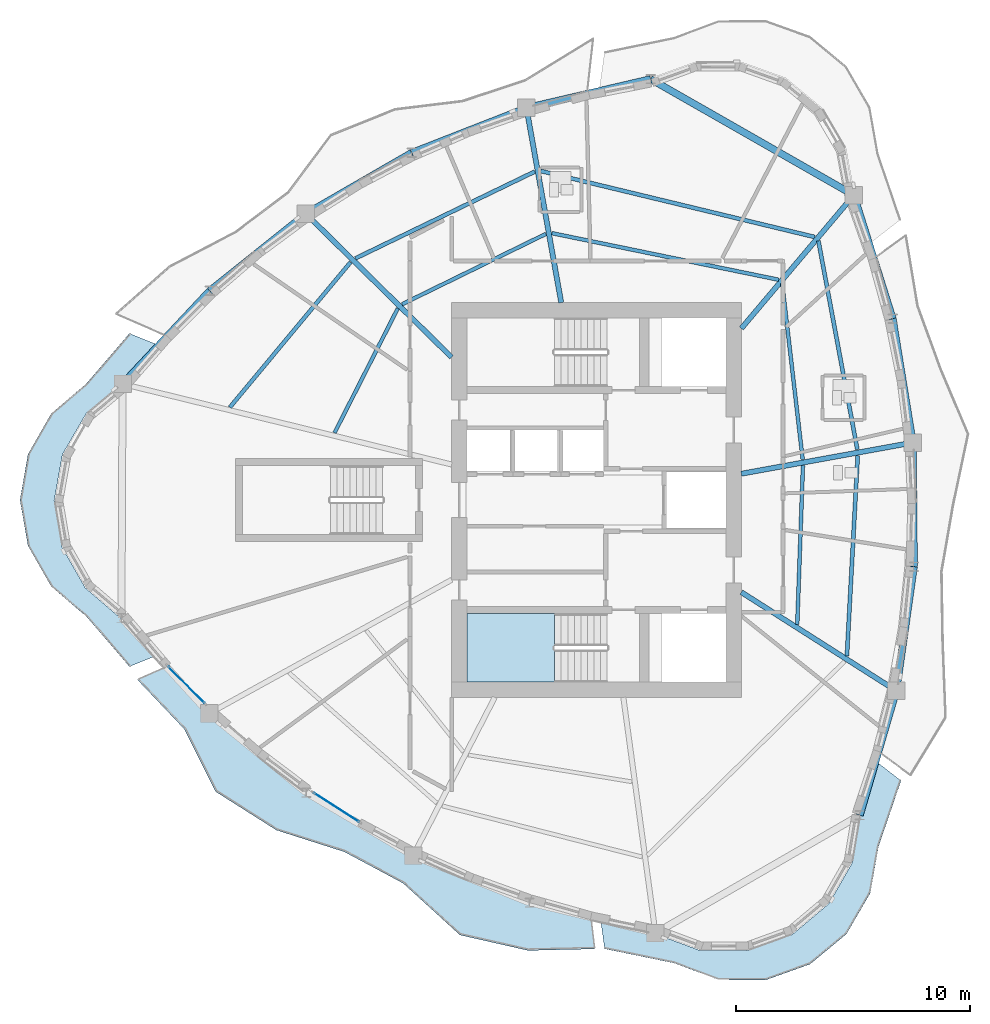
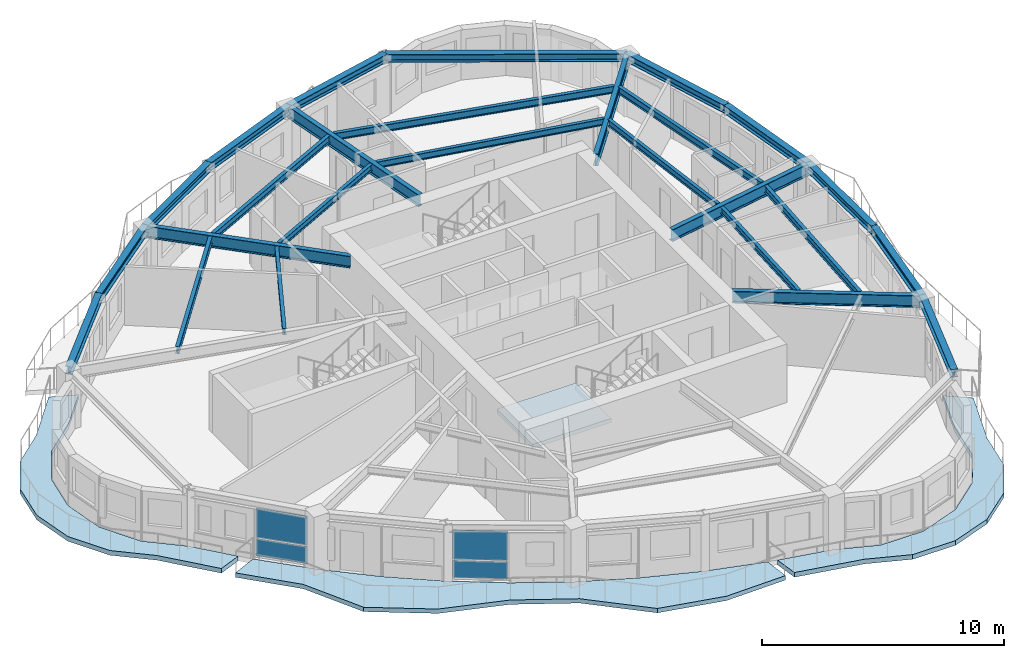
# One storey, part 3 of 13: 26 beams, 4 plates, 4 slabs, 3 elements without a shape of their own.
"""IFC4 building model written with IfcOpenShell, lengths in metres."""

from ifc_helpers import new_model, si_unit, direction, frame, origin, origin_2d, place, context, subcontext, project, spatial, polyline, rectangle, i_section, outline, extrude, source, transform, mapped, material, layer, layer_set, material_profile, profile_set, type_object, element, aggregate, save


model = new_model("IFC4")

# Units and contexts
model_context = context("Model", 3, precision=1e-05, world=origin(), true_north=direction((0.0, 1.0)))
body_context = subcontext(model_context, "Body", "Model", "MODEL_VIEW")
ifc_project = project(units=[si_unit("LENGTHUNIT", "METRE"), si_unit("AREAUNIT", "SQUARE_METRE"), si_unit("VOLUMEUNIT", "CUBIC_METRE"), si_unit("PLANEANGLEUNIT", "RADIAN"), si_unit("MASSUNIT", "GRAM", prefix="KILO")], contexts=[model_context])

# Site, building, storey
site_placement = place(None, origin())
site = spatial("IfcSite", under=ifc_project, at=site_placement, CompositionType="ELEMENT")
building_placement = place(site_placement, origin())
building = spatial("IfcBuilding", under=site, at=building_placement, Name="Qafzar Sky-Pleat Residences", CompositionType="ELEMENT")
storey_placement = place(building_placement, frame((0.0, 0.0, 133.0)))
storey = spatial("IfcBuildingStorey", under=building, at=storey_placement, Name="L39", CompositionType="ELEMENT", Elevation=133.0)

# Beams
ifc_material_1 = material(Name="Steel S355", Category="steel")
ifc_material_profile_1 = material_profile(ifc_material_1, i_section(OverallWidth=0.300048828125, OverallDepth=0.39990234375, WebThickness=0.013427734375, FlangeThickness=0.02392578125, FilletRadius=0.027099609375, at=origin_2d()), Name="HEB 400")
ifc_profile_set_1 = profile_set([ifc_material_profile_1], Name="Steel S355")
beam_type_1 = type_object("IfcBeamType", Name="BM-SPAN-HEB400", PredefinedType="SPANDREL", material=ifc_profile_set_1)
shared_shape_1 = source(origin(), body_context, "Body", "SweptSolid", [
    extrude(i_section(OverallWidth=0.300048828125, OverallDepth=0.39990234375, WebThickness=0.013427734375, FlangeThickness=0.02392578125, FilletRadius=0.027099609375, at=origin_2d()), origin(), (0.0, 0.0, 1.0), 5.548095703125),
])
beam_1_placement = place(storey_placement, frame((43.030517578125, 33.757080078125, 2.748046875), z_axis=(-0.300103485424, 0.953906650588, 0.0), x_axis=(-0.953906650588, -0.300103485424, 0.0)))
element("IfcBeam", 1, at=beam_1_placement, inside=storey, type_object=beam_type_1, Name="L39 Perimeter Spandrel Beam 12", PredefinedType="SPANDREL", context=body_context, shape_type="MappedRepresentation", body=[
    mapped(shared_shape_1, transform((0.0, 0.0, 0.0), x_axis=(1.0, 0.0, 0.0), y_axis=(0.0, 1.0, 0.0), z_axis=(0.0, 0.0, 1.0), scale=1.0)),
])
shared_shape_2 = source(origin(), body_context, "Body", "SweptSolid", [
    extrude(i_section(OverallWidth=0.300048828125, OverallDepth=0.39990234375, WebThickness=0.013427734375, FlangeThickness=0.02392578125, FilletRadius=0.027099609375, at=origin_2d()), origin(), (0.0, 0.0, 1.0), 5.369384765625),
])
for number, where, z_axis, x_axis, name in (
    (2, (43.18359375, 17.83251953125, 2.748046875), (0.140772028478, 0.99004203749, 0.0), (-0.99004203749, 0.140772028478, 0.0), "L39 Perimeter Spandrel Beam 9"),
    (3, (43.88818359375, 28.45654296875, 2.748046875), (-0.159729894545, 0.987160757318, 0.0), (-0.987160757318, -0.159729894545, 0.0), "L39 Perimeter Spandrel Beam 11"),
):
    element("IfcBeam", number, at=place(storey_placement, frame(where, z_axis=z_axis, x_axis=x_axis)), inside=storey, type_object=beam_type_1, Name=name, PredefinedType="SPANDREL", context=body_context, shape_type="MappedRepresentation", body=[
        mapped(shared_shape_2, transform((0.0, 0.0, 0.0), x_axis=(1.0, 0.0, 0.0), y_axis=(0.0, 1.0, 0.0), z_axis=(0.0, 0.0, 1.0), scale=1.0)),
    ])
shared_shape_3 = source(origin(), body_context, "Body", "SweptSolid", [
    extrude(i_section(OverallWidth=0.300048828125, OverallDepth=0.39990234375, WebThickness=0.013427734375, FlangeThickness=0.02392578125, FilletRadius=0.027099609375, at=origin_2d()), origin(), (0.0, 0.0, 1.0), 5.54833984375),
])
beam_2_placement = place(storey_placement, frame((41.62109375, 12.5087890625, 2.748046875), z_axis=(0.281618344189, 0.959526502092, 0.0), x_axis=(-0.959526502092, 0.281618344189, 0.0)))
element("IfcBeam", 4, at=beam_2_placement, inside=storey, type_object=beam_type_1, Name="L39 Perimeter Spandrel Beam 8", PredefinedType="SPANDREL", context=body_context, shape_type="MappedRepresentation", body=[
    mapped(shared_shape_3, transform((0.0, 0.0, 0.0), x_axis=(1.0, 0.0, 0.0), y_axis=(0.0, 1.0, 0.0), z_axis=(0.0, 0.0, 1.0), scale=1.0)),
])
shared_shape_4 = source(origin(), body_context, "Body", "SweptSolid", [
    extrude(i_section(OverallWidth=0.300048828125, OverallDepth=0.39990234375, WebThickness=0.013427734375, FlangeThickness=0.02392578125, FilletRadius=0.027099609375, at=origin_2d()), origin(), (0.0, 0.0, 1.0), 5.308349609375),
])
beam_3_placement = place(storey_placement, frame((43.939453125, 23.1484375, 2.748046875), z_axis=(-0.009658274544, 0.999953357779, 0.0), x_axis=(-0.999953357779, -0.009658274544, 0.0)))
element("IfcBeam", 5, at=beam_3_placement, inside=storey, type_object=beam_type_1, Name="L39 Perimeter Spandrel Beam 10", PredefinedType="SPANDREL", context=body_context, shape_type="MappedRepresentation", body=[
    mapped(shared_shape_4, transform((0.0, 0.0, 0.0), x_axis=(1.0, 0.0, 0.0), y_axis=(0.0, 1.0, 0.0), z_axis=(0.0, 0.0, 1.0), scale=1.0)),
])
shared_shape_5 = source(origin(), body_context, "Body", "SweptSolid", [
    extrude(i_section(OverallWidth=0.300048828125, OverallDepth=0.39990234375, WebThickness=0.013427734375, FlangeThickness=0.02392578125, FilletRadius=0.027099609375, at=origin_2d()), origin(), (0.0, 0.0, 1.0), 10.017578125),
])
beam_4_placement = place(storey_placement, frame((41.365478515625, 39.049560546875, 2.748046875), z_axis=(-0.868418560379, 0.495831830351, 0.0), x_axis=(-0.495831830351, -0.868418560379, 0.0)))
element("IfcBeam", 6, at=beam_4_placement, inside=storey, type_object=beam_type_1, Name="L39 Perimeter Spandrel Beam 13", PredefinedType="SPANDREL", context=body_context, shape_type="MappedRepresentation", body=[
    mapped(shared_shape_5, transform((0.0, 0.0, 0.0), x_axis=(1.0, 0.0, 0.0), y_axis=(0.0, 1.0, 0.0), z_axis=(0.0, 0.0, 1.0), scale=1.0)),
])
shared_shape_6 = source(origin(), body_context, "Body", "SweptSolid", [
    extrude(i_section(OverallWidth=0.300048828125, OverallDepth=0.39990234375, WebThickness=0.013427734375, FlangeThickness=0.02392578125, FilletRadius=0.027099609375, at=origin_2d()), origin(), (0.0, 0.0, 1.0), 5.45556640625),
])
for number, where, z_axis, x_axis, name in (
    (7, (32.666015625, 44.0166015625, 2.748046875), (-0.974014226201, -0.226486836609, 0.0), (0.226486836609, -0.974014226201, 0.0), "L39 Perimeter Spandrel Beam 14"),
    (8, (13.791015625, 34.95166015625, 2.748046875), (-0.683129413239, -0.73029733997, 0.0), (0.73029733997, -0.683129413239, 0.0), "L39 Perimeter Spandrel Beam 18"),
):
    element("IfcBeam", number, at=place(storey_placement, frame(where, z_axis=z_axis, x_axis=x_axis)), inside=storey, type_object=beam_type_1, Name=name, PredefinedType="SPANDREL", context=body_context, shape_type="MappedRepresentation", body=[
        mapped(shared_shape_6, transform((0.0, 0.0, 0.0), x_axis=(1.0, 0.0, 0.0), y_axis=(0.0, 1.0, 0.0), z_axis=(0.0, 0.0, 1.0), scale=1.0)),
    ])
shared_shape_7 = source(origin(), body_context, "Body", "SweptSolid", [
    extrude(i_section(OverallWidth=0.300048828125, OverallDepth=0.39990234375, WebThickness=0.013427734375, FlangeThickness=0.02392578125, FilletRadius=0.027099609375, at=origin_2d()), origin(), (0.0, 0.0, 1.0), 5.27978515625),
])
for number, where, z_axis, x_axis, name in (
    (9, (27.352294921875, 42.781005859375, 2.748046875), (-0.931340989142, -0.364148269177, 0.0), (0.364148269177, -0.931340989142, 0.0), "L39 Perimeter Spandrel Beam 15"),
    (10, (17.914794921875, 38.24853515625, 2.748046875), (-0.781067270651, -0.62444689023, 0.0), (0.62444689023, -0.781067270651, 0.0), "L39 Perimeter Spandrel Beam 17"),
):
    element("IfcBeam", number, at=place(storey_placement, frame(where, z_axis=z_axis, x_axis=x_axis)), inside=storey, type_object=beam_type_1, Name=name, PredefinedType="SPANDREL", context=body_context, shape_type="MappedRepresentation", body=[
        mapped(shared_shape_7, transform((0.0, 0.0, 0.0), x_axis=(1.0, 0.0, 0.0), y_axis=(0.0, 1.0, 0.0), z_axis=(0.0, 0.0, 1.0), scale=1.0)),
    ])
shared_shape_8 = source(origin(), body_context, "Body", "SweptSolid", [
    extrude(i_section(OverallWidth=0.300048828125, OverallDepth=0.39990234375, WebThickness=0.013427734375, FlangeThickness=0.02392578125, FilletRadius=0.027099609375, at=origin_2d()), origin(), (0.0, 0.0, 1.0), 5.219482421875),
])
beam_5_placement = place(storey_placement, frame((22.43505859375, 40.8583984375, 2.748046875), z_axis=(-0.866018117109, -0.50001262068, 0.0), x_axis=(0.50001262068, -0.866018117109, 0.0)))
element("IfcBeam", 11, at=beam_5_placement, inside=storey, type_object=beam_type_1, Name="L39 Perimeter Spandrel Beam 16", PredefinedType="SPANDREL", context=body_context, shape_type="MappedRepresentation", body=[
    mapped(shared_shape_8, transform((0.0, 0.0, 0.0), x_axis=(1.0, 0.0, 0.0), y_axis=(0.0, 1.0, 0.0), z_axis=(0.0, 0.0, 1.0), scale=1.0)),
])
ifc_material_profile_2 = material_profile(ifc_material_1, i_section(OverallWidth=0.219970703125, OverallDepth=0.60009765625, WebThickness=0.011962890625, FlangeThickness=0.01904296875, FilletRadius=0.02392578125, at=origin_2d()), Name="IPE 600")
ifc_profile_set_2 = profile_set([ifc_material_profile_2], Name="Steel S355")
beam_type_2 = type_object("IfcBeamType", Name="BM-SEC-IPE600", PredefinedType="BEAM", material=ifc_profile_set_2)
shared_shape_9 = source(origin(), body_context, "Body", "SweptSolid", [
    extrude(i_section(OverallWidth=0.219970703125, OverallDepth=0.60009765625, WebThickness=0.011962890625, FlangeThickness=0.01904296875, FilletRadius=0.02392578125, at=origin_2d()), origin(), (0.0, 0.0, 1.0), 7.863037109375),
])
beam_6_placement = place(storey_placement, frame((43.18359375, 17.83251953125, 2.64794921875), z_axis=(-0.843642309645, 0.536905627999, 0.0), x_axis=(-0.536905627999, -0.843642309645, 0.0)))
element("IfcBeam", 12, at=beam_6_placement, inside=storey, type_object=beam_type_2, Name="L39 Radial Floor Girder 9", PredefinedType="BEAM", context=body_context, shape_type="MappedRepresentation", body=[
    mapped(shared_shape_9, transform((0.0, 0.0, 0.0), x_axis=(1.0, 0.0, 0.0), y_axis=(0.0, 1.0, 0.0), z_axis=(0.0, 0.0, 1.0), scale=1.0)),
])
shared_shape_10 = source(origin(), body_context, "Body", "SweptSolid", [
    extrude(i_section(OverallWidth=0.219970703125, OverallDepth=0.60009765625, WebThickness=0.011962890625, FlangeThickness=0.01904296875, FilletRadius=0.02392578125, at=origin_2d()), origin(), (0.0, 0.0, 1.0), 7.4580078125),
])
beam_7_placement = place(storey_placement, frame((43.88818359375, 28.45654296875, 2.64794921875), z_axis=(-0.983932701644, -0.178539739654, 0.0), x_axis=(0.178539739654, -0.983932701644, 0.0)))
element("IfcBeam", 13, at=beam_7_placement, inside=storey, type_object=beam_type_2, Name="L39 Radial Floor Girder 11", PredefinedType="BEAM", context=body_context, shape_type="MappedRepresentation", body=[
    mapped(shared_shape_10, transform((0.0, 0.0, 0.0), x_axis=(1.0, 0.0, 0.0), y_axis=(0.0, 1.0, 0.0), z_axis=(0.0, 0.0, 1.0), scale=1.0)),
])
shared_shape_11 = source(origin(), body_context, "Body", "SweptSolid", [
    extrude(i_section(OverallWidth=0.219970703125, OverallDepth=0.60009765625, WebThickness=0.011962890625, FlangeThickness=0.01904296875, FilletRadius=0.02392578125, at=origin_2d()), origin(), (0.0, 0.0, 1.0), 7.465576171875),
])
beam_8_placement = place(storey_placement, frame((41.365478515625, 39.049560546875, 2.64794921875), z_axis=(-0.645025540345, -0.764161012028, 0.0), x_axis=(0.764161012028, -0.645025540345, 0.0)))
element("IfcBeam", 14, at=beam_8_placement, inside=storey, type_object=beam_type_2, Name="L39 Radial Floor Girder 13", PredefinedType="BEAM", context=body_context, shape_type="MappedRepresentation", body=[
    mapped(shared_shape_11, transform((0.0, 0.0, 0.0), x_axis=(1.0, 0.0, 0.0), y_axis=(0.0, 1.0, 0.0), z_axis=(0.0, 0.0, 1.0), scale=1.0)),
])
shared_shape_12 = source(origin(), body_context, "Body", "SweptSolid", [
    extrude(i_section(OverallWidth=0.219970703125, OverallDepth=0.60009765625, WebThickness=0.011962890625, FlangeThickness=0.01904296875, FilletRadius=0.02392578125, at=origin_2d()), origin(), (0.0, 0.0, 1.0), 8.462890625),
])
beam_9_placement = place(storey_placement, frame((27.352294921875, 42.781005859375, 2.64794921875), z_axis=(0.175858532928, -0.984415449085, 0.0), x_axis=(0.984415449085, 0.175858532928, 0.0)))
element("IfcBeam", 15, at=beam_9_placement, inside=storey, type_object=beam_type_2, Name="L39 Radial Floor Girder 15", PredefinedType="BEAM", context=body_context, shape_type="MappedRepresentation", body=[
    mapped(shared_shape_12, transform((0.0, 0.0, 0.0), x_axis=(1.0, 0.0, 0.0), y_axis=(0.0, 1.0, 0.0), z_axis=(0.0, 0.0, 1.0), scale=1.0)),
])
shared_shape_13 = source(origin(), body_context, "Body", "SweptSolid", [
    extrude(i_section(OverallWidth=0.219970703125, OverallDepth=0.60009765625, WebThickness=0.011962890625, FlangeThickness=0.01904296875, FilletRadius=0.02392578125, at=origin_2d()), origin(), (0.0, 0.0, 1.0), 8.751953125),
])
beam_10_placement = place(storey_placement, frame((17.914794921875, 38.24853515625, 2.64794921875), z_axis=(0.712428631163, -0.701744572832, 0.0), x_axis=(0.701744572832, 0.712428631163, 0.0)))
element("IfcBeam", 16, at=beam_10_placement, inside=storey, type_object=beam_type_2, Name="L39 Radial Floor Girder 17", PredefinedType="BEAM", context=body_context, shape_type="MappedRepresentation", body=[
    mapped(shared_shape_13, transform((0.0, 0.0, 0.0), x_axis=(1.0, 0.0, 0.0), y_axis=(0.0, 1.0, 0.0), z_axis=(0.0, 0.0, 1.0), scale=1.0)),
])
ifc_material_profile_3 = material_profile(ifc_material_1, i_section(OverallWidth=0.169921875, OverallDepth=0.360107421875, WebThickness=0.008056640625, FlangeThickness=0.0126953125, FilletRadius=0.01806640625, at=origin_2d()), Name="IPE 360")
ifc_profile_set_3 = profile_set([ifc_material_profile_3], Name="Steel S355")
beam_type_3 = type_object("IfcBeamType", Name="BM-JST-IPE360", PredefinedType="JOIST", material=ifc_profile_set_3)
shared_shape_14 = source(origin(), body_context, "Body", "SweptSolid", [
    extrude(i_section(OverallWidth=0.169921875, OverallDepth=0.360107421875, WebThickness=0.008056640625, FlangeThickness=0.0126953125, FilletRadius=0.01806640625, at=origin_2d()), origin(), (0.0, 0.0, 1.0), 8.590087890625),
])
beam_11_placement = place(storey_placement, frame((41.068115234375, 19.318359375, 2.76806640625), z_axis=(0.054086315156, 0.998536263995, 0.0), x_axis=(-0.998536263995, 0.054086315156, 0.0)))
element("IfcBeam", 17, at=beam_11_placement, inside=storey, type_object=beam_type_3, Name="L39 Outer Secondary Floor Joist 5", PredefinedType="JOIST", context=body_context, shape_type="MappedRepresentation", body=[
    mapped(shared_shape_14, transform((0.0, 0.0, 0.0), x_axis=(1.0, 0.0, 0.0), y_axis=(0.0, 1.0, 0.0), z_axis=(0.0, 0.0, 1.0), scale=1.0)),
])
shared_shape_15 = source(origin(), body_context, "Body", "SweptSolid", [
    extrude(i_section(OverallWidth=0.169921875, OverallDepth=0.360107421875, WebThickness=0.008056640625, FlangeThickness=0.0126953125, FilletRadius=0.01806640625, at=origin_2d()), origin(), (0.0, 0.0, 1.0), 9.082275390625),
])
beam_12_placement = place(storey_placement, frame((41.515380859375, 28.1630859375, 2.76806640625), z_axis=(-0.183434771009, 0.983031883911, 0.0), x_axis=(-0.983031883911, -0.183434771009, 0.0)))
element("IfcBeam", 18, at=beam_12_placement, inside=storey, type_object=beam_type_3, Name="L39 Outer Secondary Floor Joist 6", PredefinedType="JOIST", context=body_context, shape_type="MappedRepresentation", body=[
    mapped(shared_shape_15, transform((0.0, 0.0, 0.0), x_axis=(1.0, 0.0, 0.0), y_axis=(0.0, 1.0, 0.0), z_axis=(0.0, 0.0, 1.0), scale=1.0)),
])
shared_shape_16 = source(origin(), body_context, "Body", "SweptSolid", [
    extrude(i_section(OverallWidth=0.169921875, OverallDepth=0.360107421875, WebThickness=0.008056640625, FlangeThickness=0.0126953125, FilletRadius=0.01806640625, at=origin_2d()), origin(), (0.0, 0.0, 1.0), 12.069580078125),
])
beam_13_placement = place(storey_placement, frame((39.693359375, 37.255615234375, 2.76806640625), z_axis=(-0.972164877291, 0.234297783518, 0.0), x_axis=(-0.234297783518, -0.972164877291, 0.0)))
element("IfcBeam", 19, at=beam_13_placement, inside=storey, type_object=beam_type_3, Name="L39 Outer Secondary Floor Joist 7", PredefinedType="JOIST", context=body_context, shape_type="MappedRepresentation", body=[
    mapped(shared_shape_16, transform((0.0, 0.0, 0.0), x_axis=(1.0, 0.0, 0.0), y_axis=(0.0, 1.0, 0.0), z_axis=(0.0, 0.0, 1.0), scale=1.0)),
])
shared_shape_17 = source(origin(), body_context, "Body", "SweptSolid", [
    extrude(i_section(OverallWidth=0.169921875, OverallDepth=0.360107421875, WebThickness=0.008056640625, FlangeThickness=0.0126953125, FilletRadius=0.01806640625, at=origin_2d()), origin(), (0.0, 0.0, 1.0), 8.52685546875),
])
beam_14_placement = place(storey_placement, frame((27.706787109375, 40.056396484375, 2.76806640625), z_axis=(-0.900136074071, -0.4356088247, 0.0), x_axis=(0.4356088247, -0.900136074071, 0.0)))
element("IfcBeam", 20, at=beam_14_placement, inside=storey, type_object=beam_type_3, Name="L39 Outer Secondary Floor Joist 8", PredefinedType="JOIST", context=body_context, shape_type="MappedRepresentation", body=[
    mapped(shared_shape_17, transform((0.0, 0.0, 0.0), x_axis=(1.0, 0.0, 0.0), y_axis=(0.0, 1.0, 0.0), z_axis=(0.0, 0.0, 1.0), scale=1.0)),
])
shared_shape_18 = source(origin(), body_context, "Body", "SweptSolid", [
    extrude(i_section(OverallWidth=0.169921875, OverallDepth=0.360107421875, WebThickness=0.008056640625, FlangeThickness=0.0126953125, FilletRadius=0.01806640625, at=origin_2d()), origin(), (0.0, 0.0, 1.0), 8.0791015625),
])
beam_15_placement = place(storey_placement, frame((19.82373046875, 36.179443359375, 2.76806640625), z_axis=(-0.639393425542, -0.768879735313, 0.0), x_axis=(0.768879735313, -0.639393425542, 0.0)))
element("IfcBeam", 21, at=beam_15_placement, inside=storey, type_object=beam_type_3, Name="L39 Outer Secondary Floor Joist 9", PredefinedType="JOIST", context=body_context, shape_type="MappedRepresentation", body=[
    mapped(shared_shape_18, transform((0.0, 0.0, 0.0), x_axis=(1.0, 0.0, 0.0), y_axis=(0.0, 1.0, 0.0), z_axis=(0.0, 0.0, 1.0), scale=1.0)),
])
ifc_material_profile_4 = material_profile(ifc_material_1, i_section(OverallWidth=0.159912109375, OverallDepth=0.330078125, WebThickness=0.007568359375, FlangeThickness=0.011474609375, FilletRadius=0.01806640625, at=origin_2d()), Name="IPE 330")
ifc_profile_set_4 = profile_set([ifc_material_profile_4], Name="Steel S355")
beam_type_4 = type_object("IfcBeamType", Name="BM-JST-IPE330", PredefinedType="JOIST", material=ifc_profile_set_4)
shared_shape_19 = source(origin(), body_context, "Body", "SweptSolid", [
    extrude(i_section(OverallWidth=0.159912109375, OverallDepth=0.330078125, WebThickness=0.007568359375, FlangeThickness=0.011474609375, FilletRadius=0.01806640625, at=origin_2d()), origin(), (0.0, 0.0, 1.0), 6.804443359375),
])
beam_16_placement = place(storey_placement, frame((38.943115234375, 20.66943359375, 2.782958984375), z_axis=(0.035843824588, 0.999357403654, 0.0), x_axis=(-0.999357403654, 0.035843824588, 0.0)))
element("IfcBeam", 22, at=beam_16_placement, inside=storey, type_object=beam_type_4, Name="L39 Inner Secondary Floor Joist 5", PredefinedType="JOIST", context=body_context, shape_type="MappedRepresentation", body=[
    mapped(shared_shape_19, transform((0.0, 0.0, 0.0), x_axis=(1.0, 0.0, 0.0), y_axis=(0.0, 1.0, 0.0), z_axis=(0.0, 0.0, 1.0), scale=1.0)),
])
shared_shape_20 = source(origin(), body_context, "Body", "SweptSolid", [
    extrude(i_section(OverallWidth=0.159912109375, OverallDepth=0.330078125, WebThickness=0.007568359375, FlangeThickness=0.011474609375, FilletRadius=0.01806640625, at=origin_2d()), origin(), (0.0, 0.0, 1.0), 7.576904296875),
])
beam_17_placement = place(storey_placement, frame((39.17626953125, 27.738525390625, 2.782958984375), z_axis=(-0.115741884546, 0.99327932434, 0.0), x_axis=(-0.99327932434, -0.115741884546, 0.0)))
element("IfcBeam", 23, at=beam_17_placement, inside=storey, type_object=beam_type_4, Name="L39 Inner Secondary Floor Joist 6", PredefinedType="JOIST", context=body_context, shape_type="MappedRepresentation", body=[
    mapped(shared_shape_20, transform((0.0, 0.0, 0.0), x_axis=(1.0, 0.0, 0.0), y_axis=(0.0, 1.0, 0.0), z_axis=(0.0, 0.0, 1.0), scale=1.0)),
])
shared_shape_21 = source(origin(), body_context, "Body", "SweptSolid", [
    extrude(i_section(OverallWidth=0.159912109375, OverallDepth=0.330078125, WebThickness=0.007568359375, FlangeThickness=0.011474609375, FilletRadius=0.01806640625, at=origin_2d()), origin(), (0.0, 0.0, 1.0), 9.91748046875),
])
beam_18_placement = place(storey_placement, frame((38.1513671875, 35.42578125, 2.782958984375), z_axis=(-0.979530197869, 0.201297271374, 0.0), x_axis=(-0.201297271374, -0.979530197869, 0.0)))
element("IfcBeam", 24, at=beam_18_placement, inside=storey, type_object=beam_type_4, Name="L39 Inner Secondary Floor Joist 7", PredefinedType="JOIST", context=body_context, shape_type="MappedRepresentation", body=[
    mapped(shared_shape_21, transform((0.0, 0.0, 0.0), x_axis=(1.0, 0.0, 0.0), y_axis=(0.0, 1.0, 0.0), z_axis=(0.0, 0.0, 1.0), scale=1.0)),
])
shared_shape_22 = source(origin(), body_context, "Body", "SweptSolid", [
    extrude(i_section(OverallWidth=0.159912109375, OverallDepth=0.330078125, WebThickness=0.007568359375, FlangeThickness=0.011474609375, FilletRadius=0.01806640625, at=origin_2d()), origin(), (0.0, 0.0, 1.0), 6.8544921875),
])
beam_19_placement = place(storey_placement, frame((28.18359375, 37.389892578125, 2.782958984375), z_axis=(-0.898233775549, -0.43951801381, 0.0), x_axis=(0.43951801381, -0.898233775549, 0.0)))
element("IfcBeam", 25, at=beam_19_placement, inside=storey, type_object=beam_type_4, Name="L39 Inner Secondary Floor Joist 8", PredefinedType="JOIST", context=body_context, shape_type="MappedRepresentation", body=[
    mapped(shared_shape_22, transform((0.0, 0.0, 0.0), x_axis=(1.0, 0.0, 0.0), y_axis=(0.0, 1.0, 0.0), z_axis=(0.0, 0.0, 1.0), scale=1.0)),
])
shared_shape_23 = source(origin(), body_context, "Body", "SweptSolid", [
    extrude(i_section(OverallWidth=0.159912109375, OverallDepth=0.330078125, WebThickness=0.007568359375, FlangeThickness=0.011474609375, FilletRadius=0.01806640625, at=origin_2d()), origin(), (0.0, 0.0, 1.0), 5.965087890625),
])
beam_20_placement = place(storey_placement, frame((21.843994140625, 34.197509765625, 2.782958984375), z_axis=(-0.453244471587, -0.891386251282, 0.0), x_axis=(0.891386251282, -0.453244471587, 0.0)))
element("IfcBeam", 26, at=beam_20_placement, inside=storey, type_object=beam_type_4, Name="L39 Inner Secondary Floor Joist 9", PredefinedType="JOIST", context=body_context, shape_type="MappedRepresentation", body=[
    mapped(shared_shape_23, transform((0.0, 0.0, 0.0), x_axis=(1.0, 0.0, 0.0), y_axis=(0.0, 1.0, 0.0), z_axis=(0.0, 0.0, 1.0), scale=1.0)),
])

# Slab
ifc_material_2 = material(Name="Concrete C40/50", Category="concrete")
ifc_layer_1 = layer(ifc_material_2, 0.219970703125)
ifc_layer_set_1 = layer_set([ifc_layer_1], Name="Concrete C40/50")
slab_type_1 = type_object("IfcSlabType", Name="SLAB-BAL-220", PredefinedType="USERDEFINED", material=ifc_layer_set_1)
slab_1_placement = place(storey_placement, frame((0.0, 0.0, -0.219970703125)))
element("IfcSlab", 27, at=slab_1_placement, inside=storey, type_object=slab_type_1, Name="L39 Pleated Stone Balcony 3", ObjectType="BALCONY", PredefinedType="USERDEFINED", context=body_context, shape_type="SweptSolid", body=[
    extrude(outline(polyline([(13.7568359375, 16.855224609375), (15.78759765625, 15.0703125), (17.9208984375, 13.459228515625), (20.156982421875, 12.022216796875), (22.49560546875, 10.7587890625), (24.93701171875, 9.669921875), (27.48095703125, 8.7548828125), (30.12744140625, 8.013671875), (30.272705078125, 6.7841796875), (27.419677734375, 6.7177734375), (24.50732421875, 7.37890625), (22.0751953125, 9.594482421875), (19.551025390625, 10.9423828125), (16.644287109375, 11.87060546875), (14.050537109375, 13.515869140625), (12.715087890625, 16.1865234375), (10.697998046875, 18.311279296875), (11.8291015625, 18.81396484375), (13.7568359375, 16.855224609375)])), origin(), (0.0, 0.0, 1.0), 0.219970703125),
])

# Stair, slab
stair_type = type_object("IfcStairType", Name="STAIR-H320", PredefinedType="HALF_TURN_STAIR", material=ifc_material_2)
stair_placement = place(storey_placement, origin())
stair = element("IfcStair", 28, at=stair_placement, inside=storey, type_object=stair_type, Name="L39 Protected Exit Stair ST1", PredefinedType="HALF_TURN_STAIR")
ifc_layer_2 = layer(ifc_material_2, 0.199951171875)
ifc_layer_set_2 = layer_set([ifc_layer_2], Name="Concrete C40/50")
slab_type_2 = type_object("IfcSlabType", Name="SLAB-LANDING-200", PredefinedType="LANDING", material=ifc_layer_set_2)
slab_2_placement = place(storey_placement, frame((0.0, 0.0, 1.39990234375)))
slab_2 = element("IfcSlab", 29, at=slab_2_placement, type_object=slab_type_2, Name="ST1 landing 1", PredefinedType="LANDING", context=body_context, shape_type="SweptSolid", body=[
    extrude(outline(polyline([(28.56005859375, 21.14990234375), (24.800048828125, 21.14990234375), (24.800048828125, 18.199951171875), (28.56005859375, 18.199951171875), (28.56005859375, 21.14990234375)])), origin(), (0.0, 0.0, 1.0), 0.2001953125),
])
aggregate(stair, [slab_2])

# Slabs
ifc_layer_3 = layer(ifc_material_2, 0.235107421875)
ifc_layer_set_3 = layer_set([ifc_layer_3], Name="Concrete C40/50")
slab_type_3 = type_object("IfcSlabType", Name="SLAB-TER-235", PredefinedType="USERDEFINED", material=ifc_layer_set_3)
slab_3_placement = place(storey_placement, frame((0.0, 0.0, -0.235107421875)))
element("IfcSlab", 30, at=slab_3_placement, inside=storey, type_object=slab_type_3, Name="L39 Shared-Kitchen Corner Terrace 1", ObjectType="TERRACE", PredefinedType="USERDEFINED", context=body_context, shape_type="SweptSolid", body=[
    extrude(outline(polyline([(10.04638671875, 30.985595703125), (8.510986328125, 29.69921875), (8.50927734375, 29.697509765625), (8.5078125, 29.696044921875), (8.506591796875, 29.6943359375), (8.50537109375, 29.6923828125), (7.498779296875, 27.95849609375), (7.497802734375, 27.956298828125), (7.496826171875, 27.954345703125), (7.49609375, 27.952392578125), (7.49560546875, 27.9501953125), (7.1396484375, 25.976806640625), (7.139404296875, 25.974853515625), (7.13916015625, 25.97265625), (7.139404296875, 25.970458984375), (7.1396484375, 25.96826171875), (7.476806640625, 23.99169921875), (7.47705078125, 23.989501953125), (7.477783203125, 23.987548828125), (7.478515625, 23.985595703125), (7.4794921875, 23.983642578125), (8.469482421875, 22.239990234375), (8.470703125, 22.238037109375), (8.471923828125, 22.236328125), (8.473388671875, 22.234619140625), (8.47509765625, 22.233154296875), (9.998291015625, 20.93212890625), (11.40087890625, 19.29345703125), (10.356201171875, 18.871337890625), (8.52880859375, 21.00390625), (7.0087890625, 22.299072265625), (6.018310546875, 24.032958984375), (5.674560546875, 26.0), (6.018310546875, 27.967041015625), (7.0087890625, 29.700927734375), (8.52880859375, 30.99609375), (10.356201171875, 33.128662109375), (11.51025390625, 32.662353515625), (10.04638671875, 30.985595703125)])), origin(), (0.0, 0.0, 1.0), 0.235107421875),
])
slab_4_placement = place(storey_placement, frame((0.0, 0.0, -0.235107421875)))
element("IfcSlab", 31, at=slab_4_placement, inside=storey, type_object=slab_type_3, Name="L39 Shared-Kitchen Corner Terrace 3", ObjectType="TERRACE", PredefinedType="USERDEFINED", context=body_context, shape_type="SweptSolid", body=[
    extrude(outline(polyline([(42.422607421875, 11.17236328125), (42.069580078125, 9.180419921875), (41.05419921875, 7.4306640625), (39.49951171875, 6.13623046875), (37.5947265625, 5.45458984375), (35.57177734375, 5.46826171875), (33.6767578125, 6.17626953125), (30.69970703125, 6.78955078125), (30.541748046875, 7.914306640625), (32.8662109375, 7.43408203125), (34.768798828125, 6.724365234375), (34.77099609375, 6.7236328125), (34.773193359375, 6.72314453125), (34.775390625, 6.722900390625), (34.777587890625, 6.72265625), (36.81005859375, 6.712890625), (36.812255859375, 6.712890625), (36.814453125, 6.71337890625), (36.816650390625, 6.713623046875), (36.818603515625, 6.71435546875), (38.72998046875, 7.406494140625), (38.73193359375, 7.4072265625), (38.73388671875, 7.408203125), (38.73583984375, 7.409423828125), (38.737548828125, 7.410888671875), (40.29248046875, 8.719970703125), (40.294189453125, 8.721435546875), (40.295654296875, 8.72314453125), (40.296875, 8.724853515625), (40.298095703125, 8.726806640625), (41.305908203125, 10.491943359375), (41.306884765625, 10.493896484375), (41.3076171875, 10.495849609375), (41.308349609375, 10.498046875), (41.308837890625, 10.500244140625), (41.6455078125, 12.502685546875), (42.391845703125, 14.755859375), (43.38330078125, 13.9814453125), (42.422607421875, 11.17236328125)])), origin(), (0.0, 0.0, 1.0), 0.235107421875),
])

# Curtain wall, plates
ifc_material_3 = material(Name="Anodised bronze aluminium framing", Category="aluminium")
ifc_layer_4 = layer(ifc_material_3, 0.199951171875)
ifc_layer_set_4 = layer_set([ifc_layer_4], Name="Anodised bronze aluminium framing")
curtain_wall_type = type_object("IfcCurtainWallType", Name="CW-SYS-04", PredefinedType="NOTDEFINED", material=ifc_layer_set_4)
curtain_wall_1_placement = place(storey_placement, origin())
curtain_wall_1 = element("IfcCurtainWall", 32, at=curtain_wall_1_placement, inside=storey, type_object=curtain_wall_type, Name="L39 CW-04 Curtain Wall CW-L39-WG-05", PredefinedType="NOTDEFINED")
ifc_material_4 = material(Name="Solar-control double low-E glazing", Category="glass")
ifc_layer_5 = layer(ifc_material_4, 0.028076171875)
ifc_layer_set_5 = layer_set([ifc_layer_5], Name="Solar-control double low-E glazing")
plate_type = type_object("IfcPlateType", Name="CWP-04", PredefinedType="CURTAIN_PANEL", material=ifc_layer_set_5)
shared_shape_24 = source(origin(), body_context, "Body", "SweptSolid", [
    extrude(rectangle(XDim=2.201416015625, YDim=0.028076171875, at=origin_2d()), origin(), (0.0, 0.0, 1.0), 0.864013671875),
])
plate_1_placement = place(storey_placement, frame((12.793212890625, 18.09326171875, 0.06494140625), z_axis=(0.0, 0.0, 1.0), x_axis=(0.701551981988, -0.712618282511, 0.0)))
plate_1 = element("IfcPlate", 33, at=plate_1_placement, type_object=plate_type, Name="CW-04 panel 1.1", PredefinedType="CURTAIN_PANEL", context=body_context, shape_type="MappedRepresentation", body=[
    mapped(shared_shape_24, transform((0.0, 0.0, 0.0), x_axis=(1.0, 0.0, 0.0), y_axis=(0.0, 1.0, 0.0), z_axis=(0.0, 0.0, 1.0), scale=1.0)),
])
shared_shape_25 = source(origin(), body_context, "Body", "SweptSolid", [
    extrude(rectangle(XDim=2.201416015625, YDim=0.028076171875, at=origin_2d()), origin(), (0.0, 0.0, 1.0), 1.47119140625),
])
plate_2_placement = place(storey_placement, frame((12.793212890625, 18.09326171875, 0.993896484375), z_axis=(0.0, 0.0, 1.0), x_axis=(0.701551981988, -0.712618282511, 0.0)))
plate_2 = element("IfcPlate", 34, at=plate_2_placement, type_object=plate_type, Name="CW-04 panel 1.2", PredefinedType="CURTAIN_PANEL", context=body_context, shape_type="MappedRepresentation", body=[
    mapped(shared_shape_25, transform((0.0, 0.0, 0.0), x_axis=(1.0, 0.0, 0.0), y_axis=(0.0, 1.0, 0.0), z_axis=(0.0, 0.0, 1.0), scale=1.0)),
])
aggregate(curtain_wall_1, [plate_1, plate_2])

curtain_wall_2_placement = place(storey_placement, origin())
curtain_wall_2 = element("IfcCurtainWall", 35, at=curtain_wall_2_placement, inside=storey, type_object=curtain_wall_type, Name="L39 CW-04 Curtain Wall CW-L39-WG-06", PredefinedType="NOTDEFINED")
shared_shape_26 = source(origin(), body_context, "Body", "SweptSolid", [
    extrude(rectangle(XDim=2.28564453125, YDim=0.028076171875, at=origin_2d()), origin(), (0.0, 0.0, 1.0), 0.864013671875),
])
plate_3_placement = place(storey_placement, frame((19.221923828125, 12.83935546875, 0.06494140625), z_axis=(0.0, 0.0, 1.0), x_axis=(0.841244376791, -0.540655064267, 0.0)))
plate_3 = element("IfcPlate", 36, at=plate_3_placement, type_object=plate_type, Name="CW-04 panel 1.1", PredefinedType="CURTAIN_PANEL", context=body_context, shape_type="MappedRepresentation", body=[
    mapped(shared_shape_26, transform((0.0, 0.0, 0.0), x_axis=(1.0, 0.0, 0.0), y_axis=(0.0, 1.0, 0.0), z_axis=(0.0, 0.0, 1.0), scale=1.0)),
])
shared_shape_27 = source(origin(), body_context, "Body", "SweptSolid", [
    extrude(rectangle(XDim=2.28564453125, YDim=0.028076171875, at=origin_2d()), origin(), (0.0, 0.0, 1.0), 1.47119140625),
])
plate_4_placement = place(storey_placement, frame((19.221923828125, 12.83935546875, 0.993896484375), z_axis=(0.0, 0.0, 1.0), x_axis=(0.841244376791, -0.540655064267, 0.0)))
plate_4 = element("IfcPlate", 37, at=plate_4_placement, type_object=plate_type, Name="CW-04 panel 1.2", PredefinedType="CURTAIN_PANEL", context=body_context, shape_type="MappedRepresentation", body=[
    mapped(shared_shape_27, transform((0.0, 0.0, 0.0), x_axis=(1.0, 0.0, 0.0), y_axis=(0.0, 1.0, 0.0), z_axis=(0.0, 0.0, 1.0), scale=1.0)),
])
aggregate(curtain_wall_2, [plate_3, plate_4])

save(model, "model.ifc")
